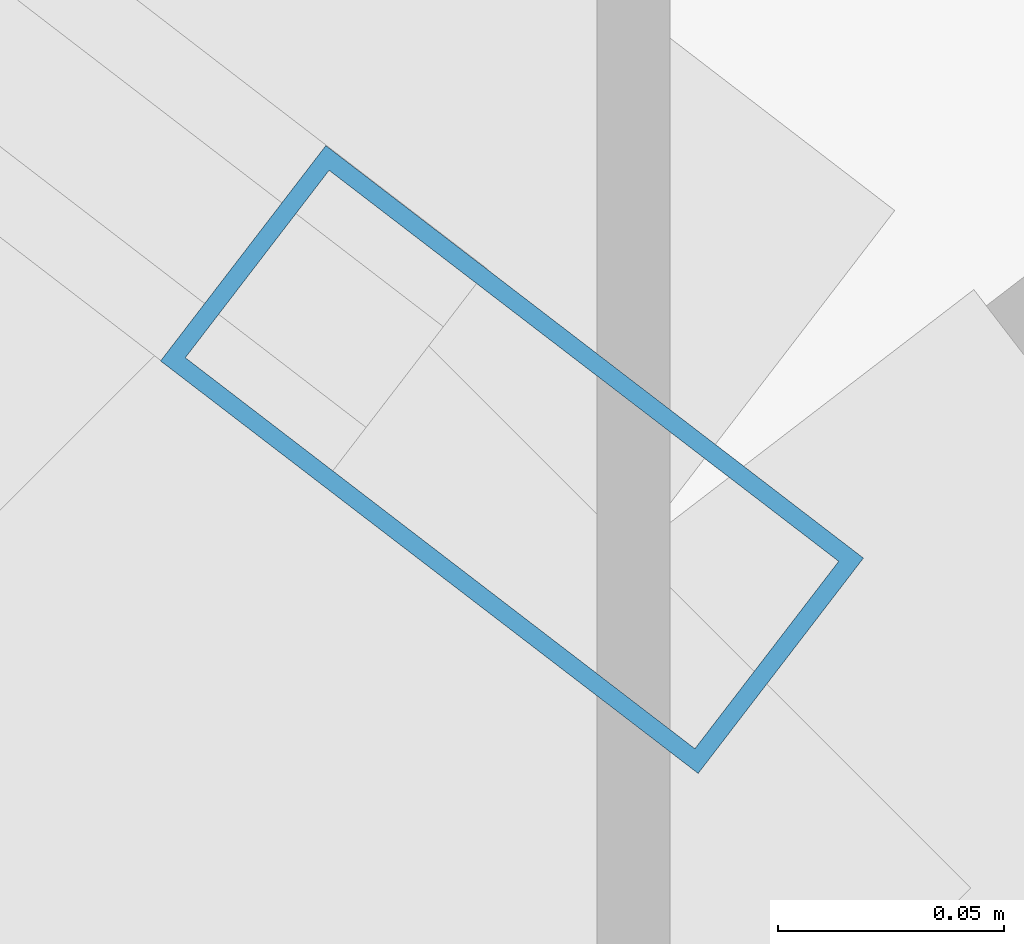
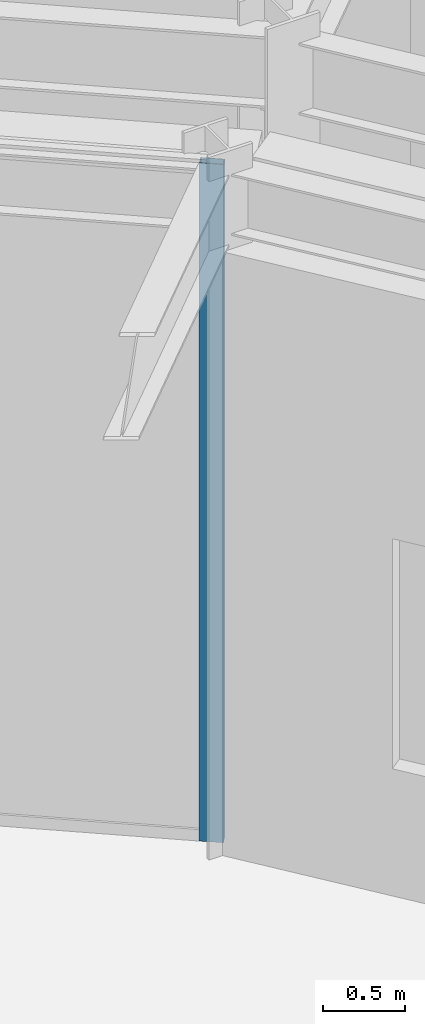
# One storey, part 84 of 168: 1 member, 1 element without a shape of its own.
"""IFC4 building model written with IfcOpenShell, lengths in metres."""

import ifcopenshell
import ifcopenshell.guid

model = None  # the IFC model being written
_history = None  # IfcOwnerHistory: only IFC2X3 demands one
_inside = {}  # id of a spatial element -> (the spatial element, [elements in it])
_under = {}  # id of a project, library or spatial element -> (it, [spatial elements below it])
_declared = {}  # id of a project -> (the project, [libraries it declares])
_typed = {}  # id of a type object -> (the type object, [elements of that type])
_made_of = {}  # id of a material, layer set ... -> (it, [elements and type objects made of it])


def new_model(schema):
    """Start an empty IFC model of exactly this schema.

    Asked for "IFC4X3", IfcOpenShell would pick the latest addendum, in which some entities
    have other attributes; the version numbers below select the first issue.
    IFC2X3 requires an IfcOwnerHistory on every rooted entity: one is made here for all.
    """
    global model, _history
    if schema == "IFC4X3":
        model = ifcopenshell.file(schema_version=(4, 3, 0, 0))
    else:
        model = ifcopenshell.file(schema=schema)
    _inside.clear()
    _under.clear()
    _declared.clear()
    _typed.clear()
    _made_of.clear()
    _history = None
    if model.schema == "IFC2X3":
        org = make("IfcOrganization", Name="unknown")
        user = make(
            "IfcPersonAndOrganization",
            ThePerson=make("IfcPerson", FamilyName="unknown"),
            TheOrganization=org,
        )
        app = make(
            "IfcApplication",
            ApplicationDeveloper=org,
            Version="unknown",
            ApplicationFullName="unknown",
            ApplicationIdentifier="unknown",
        )
        _history = make(
            "IfcOwnerHistory",
            OwningUser=user,
            OwningApplication=app,
            ChangeAction="ADDED",
            CreationDate=0,
        )
    return model


def make(cls, **values):
    """One entity of the class cls with the attributes given. An attribute that is None is left unset."""
    return model.create_entity(
        cls, **{name: value for name, value in values.items() if value is not None}
    )


def rooted(cls, **values):
    """An entity with a GlobalId (a new one), such as an element, a storey or a relation."""
    return make(cls, GlobalId=ifcopenshell.guid.new(), OwnerHistory=_history, **values)


def si_unit(unit_type, name, prefix=None):
    """IfcSIUnit, for example si_unit("LENGTHUNIT", "METRE", prefix="MILLI")."""
    return make("IfcSIUnit", UnitType=unit_type, Prefix=prefix, Name=name)


def assignment(units):
    """IfcUnitAssignment: the units of a project."""
    return None if units is None else make("IfcUnitAssignment", Units=units)


def point(xyz):
    """IfcCartesianPoint."""
    return None if xyz is None else make("IfcCartesianPoint", Coordinates=xyz)


def direction(xyz):
    """IfcDirection."""
    return None if xyz is None else make("IfcDirection", DirectionRatios=xyz)


def frame(location, z_axis=None, x_axis=None):
    """IfcAxis2Placement3D, a coordinate frame: its origin and axes. An axis left out is left unset."""
    return make(
        "IfcAxis2Placement3D",
        Location=point(location),
        Axis=direction(z_axis),
        RefDirection=direction(x_axis),
    )


def frame_2d(location, x_axis=None):
    """IfcAxis2Placement2D, a coordinate frame in the plane: its origin and x axis."""
    return make(
        "IfcAxis2Placement2D", Location=point(location), RefDirection=direction(x_axis)
    )


def origin():
    """The frame at (0, 0, 0) with its axes left unset."""
    return frame((0.0, 0.0, 0.0))


def origin_2d():
    """The frame at (0, 0) in the plane with its x axis left unset."""
    return frame_2d((0.0, 0.0))


def place(relative_to, where):
    """IfcLocalPlacement: puts the frame where relative to a parent placement (None: the world)."""
    return make(
        "IfcLocalPlacement", PlacementRelTo=relative_to, RelativePlacement=where
    )


def context(
    kind, dimensions, precision=None, world=None, true_north=None, identifier=None
):
    """IfcGeometricRepresentationContext, for example the 3D "Model" context."""
    return make(
        "IfcGeometricRepresentationContext",
        ContextIdentifier=identifier,
        ContextType=kind,
        CoordinateSpaceDimension=dimensions,
        Precision=precision,
        WorldCoordinateSystem=world,
        TrueNorth=true_north,
    )


def subcontext(parent, identifier, kind, view, scale=None):
    """IfcGeometricRepresentationSubContext, for example "Body" below "Model"."""
    return make(
        "IfcGeometricRepresentationSubContext",
        ContextIdentifier=identifier,
        ContextType=kind,
        ParentContext=parent,
        TargetScale=scale,
        TargetView=view,
    )


def project(units=None, contexts=None):
    """IfcProject with its units and contexts."""
    return rooted(
        "IfcProject",
        Name="project",
        RepresentationContexts=contexts,
        UnitsInContext=assignment(units),
    )


def spatial(cls, under=None, at=None, **own):
    """A site, building, storey or space (cls), placed at a placement, below another one or the project."""
    s = rooted(cls, ObjectPlacement=at, **own)
    if under is not None:
        _under.setdefault(under.id(), (under, []))[1].append(s)
    return s


def profile(cls, at=None, kind="AREA", **sizes):
    """A parametric profile (cls). Its sizes go by their IFC names, for example OverallWidth=200.0."""
    return make(cls, ProfileType=kind, Position=at, **sizes)


def hollow_rectangle(**sizes):
    """IfcRectangleHollowProfileDef."""
    return profile("IfcRectangleHollowProfileDef", **sizes)


def extrude(swept, where, along, depth):
    """IfcExtrudedAreaSolid: the profile swept, set in the frame where, extruded along a direction by depth."""
    return make(
        "IfcExtrudedAreaSolid",
        SweptArea=swept,
        Position=where,
        ExtrudedDirection=direction(along),
        Depth=depth,
    )


def shape(context_of_items, identifier, shape_type, items):
    """IfcShapeRepresentation: the items that make up one representation, for example the "Body"."""
    return make(
        "IfcShapeRepresentation",
        ContextOfItems=context_of_items,
        RepresentationIdentifier=identifier,
        RepresentationType=shape_type,
        Items=items,
    )


def material(Name=None, Category=None):
    """IfcMaterial."""
    return make("IfcMaterial", Name=Name, Category=Category)


def material_profile(
    of_material, cross_section, Name=None, Category=None, Priority=None
):
    """IfcMaterialProfile: a cross section and its material."""
    return make(
        "IfcMaterialProfile",
        Name=Name,
        Material=of_material,
        Profile=cross_section,
        Priority=Priority,
        Category=Category,
    )


def profile_set(profiles, Name=None, composite=None):
    """IfcMaterialProfileSet."""
    return make(
        "IfcMaterialProfileSet",
        Name=Name,
        MaterialProfiles=profiles,
        CompositeProfile=composite,
    )


def made_of(thing, what):
    """Note that an element or type object is made of a material, layer set ...; save() writes the relation."""
    if what is not None:
        _made_of.setdefault(what.id(), (what, []))[1].append(thing)
    return thing


def type_object(cls, material=None, **own):
    """A type object (cls), such as IfcWallType, which elements share."""
    return made_of(rooted(cls, **own), material)


def element(
    cls,
    number,
    at=None,
    inside=None,
    cuts=None,
    type_object=None,
    material=None,
    context=None,
    identifier="Body",
    shape_type=None,
    held_by="IfcProductDefinitionShape",
    body=None,
    shapes=None,
    **own,
):
    """One element of the class cls, such as IfcWall. Its Tag is "e" and its number.

    at: its placement. inside: the storey or other place that contains it. cuts: it is an
    opening in that element (IfcRelVoidsElement). A single representation is given by context,
    identifier, shape_type and body (its items); several are given by shapes. held_by: the class
    of the entity that holds the representations. save() writes the other relations.
    """
    e = rooted(cls, Tag="e%d" % number, ObjectPlacement=at, **own)
    if body is not None:
        shapes = [shape(context, identifier, shape_type, body)]
    if shapes is not None:
        e.Representation = make(held_by, Representations=shapes)
    if inside is not None:
        _inside.setdefault(inside.id(), (inside, []))[1].append(e)
    if cuts is not None:
        rooted(
            "IfcRelVoidsElement", RelatingBuildingElement=cuts, RelatedOpeningElement=e
        )
    if type_object is not None:
        _typed.setdefault(type_object.id(), (type_object, []))[1].append(e)
    return made_of(e, material)


def aggregate(whole, parts):
    """IfcRelAggregates: a whole, such as a stair, and the parts it consists of."""
    return rooted("IfcRelAggregates", RelatingObject=whole, RelatedObjects=parts)


def save(model, path):
    """Write the relations noted so far, then the file.

    IfcRelAggregates (storeys below a building ...), IfcRelContainedInSpatialStructure (elements
    in a storey), IfcRelDefinesByType, IfcRelAssociatesMaterial and IfcRelDeclares: one each for
    every whole, place, type object, material and project.
    """
    for whole, parts in _under.values():
        aggregate(whole, parts)
    for where, things in _inside.values():
        rooted(
            "IfcRelContainedInSpatialStructure",
            RelatedElements=things,
            RelatingStructure=where,
        )
    for kind, things in _typed.values():
        rooted("IfcRelDefinesByType", RelatedObjects=things, RelatingType=kind)
    for what, things in _made_of.values():
        rooted("IfcRelAssociatesMaterial", RelatedObjects=things, RelatingMaterial=what)
    for by, libraries in _declared.values():
        rooted("IfcRelDeclares", RelatingContext=by, RelatedDefinitions=libraries)
    model.write(path)


model = new_model("IFC4")

# Units and contexts
model_context = context("Model", 3, precision=1e-05, world=origin(), true_north=direction((0.0, 1.0)))
body_context = subcontext(model_context, "Body", "Model", "MODEL_VIEW")
ifc_project = project(units=[si_unit("LENGTHUNIT", "METRE"), si_unit("AREAUNIT", "SQUARE_METRE"), si_unit("VOLUMEUNIT", "CUBIC_METRE"), si_unit("PLANEANGLEUNIT", "RADIAN"), si_unit("MASSUNIT", "GRAM", prefix="KILO")], contexts=[model_context])

# Site, building, storey
site_placement = place(None, origin())
site = spatial("IfcSite", under=ifc_project, at=site_placement, CompositionType="ELEMENT")
building_placement = place(site_placement, origin())
building = spatial("IfcBuilding", under=site, at=building_placement, Name="Almandine Court Research Institute", CompositionType="ELEMENT")
storey_placement = place(building_placement, origin())
storey = spatial("IfcBuildingStorey", under=building, at=storey_placement, Name="L00", CompositionType="ELEMENT", Elevation=0.0)

# Curtain wall, member
ifc_material_1 = material(Name="Unitised Curtain Wall Framing and Solar Glazing", Category="glass")
curtain_wall_type = type_object("IfcCurtainWallType", Name="CW-CWG-23", PredefinedType="USERDEFINED", material=ifc_material_1)
curtain_wall_placement = place(storey_placement, origin())
curtain_wall = element("IfcCurtainWall", 1, at=curtain_wall_placement, inside=storey, type_object=curtain_wall_type, Name="L00 Interaction Atrium Perimeter Curtain Wall 03", ObjectType="UNITISED GLAZING", PredefinedType="USERDEFINED")
ifc_material_2 = material(Name="Anodised Aluminium AW-6063-T6", Category="aluminium")
ifc_material_profile = material_profile(ifc_material_2, hollow_rectangle(XDim=0.06005859375, YDim=0.14990234375, WallThickness=0.00390625, at=origin_2d()), Name="ALU RHS 60x150x4")
ifc_profile_set = profile_set([ifc_material_profile], Name="Anodised Aluminium AW-6063-T6")
member_type = type_object("IfcMemberType", Name="CWMul-60x150", PredefinedType="MULLION", material=ifc_profile_set)
member_placement = place(storey_placement, frame((113.59619140625, 82.643310546875, 0.0), z_axis=(0.0, 0.0, 1.0), x_axis=(0.608760667029, 0.793353924979, 0.0)))
member = element("IfcMember", 2, at=member_placement, type_object=member_type, Name="CWG-23 mullion 3", PredefinedType="MULLION", context=body_context, shape_type="SweptSolid", body=[
    extrude(hollow_rectangle(XDim=0.06005859375, YDim=0.14990234375, WallThickness=0.00390625, at=origin_2d()), origin(), (0.0, 0.0, 1.0), 5.070068359375),
])
aggregate(curtain_wall, [member])

save(model, "model.ifc")
